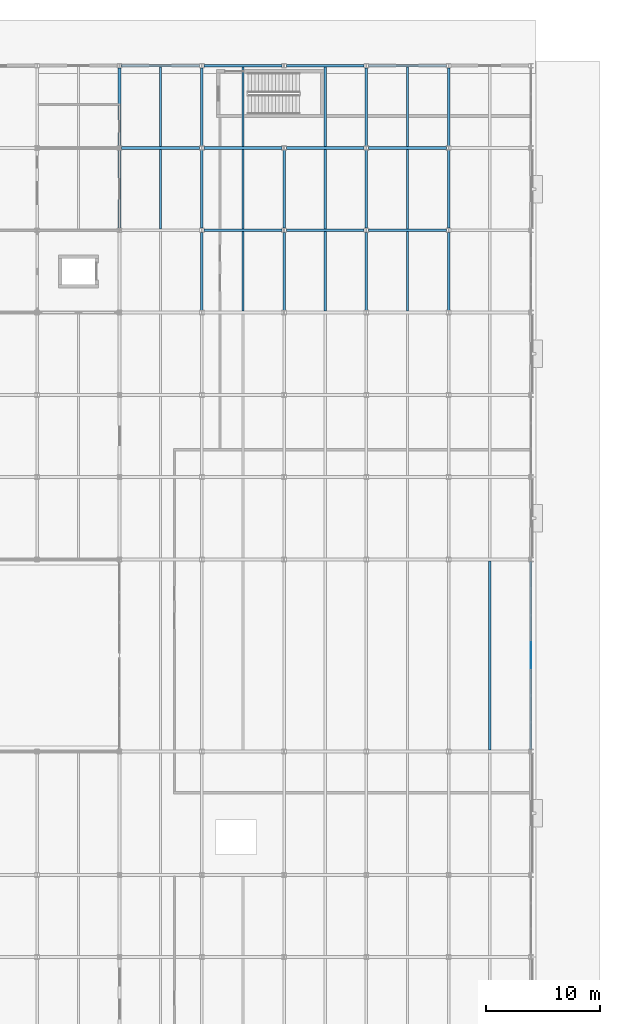
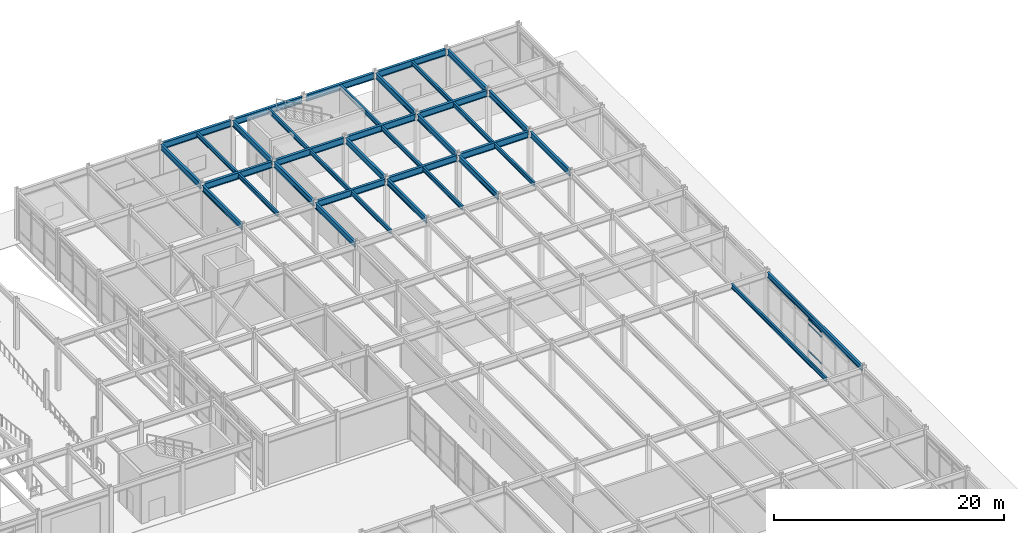
# One storey, part 54 of 104: 37 beams, 4 members, 1 element without a shape of its own.
"""IFC4 building model written with IfcOpenShell, lengths in metres."""

import ifcopenshell
import ifcopenshell.guid

model = None  # the IFC model being written
_history = None  # IfcOwnerHistory: only IFC2X3 demands one
_inside = {}  # id of a spatial element -> (the spatial element, [elements in it])
_under = {}  # id of a project, library or spatial element -> (it, [spatial elements below it])
_declared = {}  # id of a project -> (the project, [libraries it declares])
_typed = {}  # id of a type object -> (the type object, [elements of that type])
_made_of = {}  # id of a material, layer set ... -> (it, [elements and type objects made of it])


def new_model(schema):
    """Start an empty IFC model of exactly this schema.

    Asked for "IFC4X3", IfcOpenShell would pick the latest addendum, in which some entities
    have other attributes; the version numbers below select the first issue.
    IFC2X3 requires an IfcOwnerHistory on every rooted entity: one is made here for all.
    """
    global model, _history
    if schema == "IFC4X3":
        model = ifcopenshell.file(schema_version=(4, 3, 0, 0))
    else:
        model = ifcopenshell.file(schema=schema)
    _inside.clear()
    _under.clear()
    _declared.clear()
    _typed.clear()
    _made_of.clear()
    _history = None
    if model.schema == "IFC2X3":
        org = make("IfcOrganization", Name="unknown")
        user = make(
            "IfcPersonAndOrganization",
            ThePerson=make("IfcPerson", FamilyName="unknown"),
            TheOrganization=org,
        )
        app = make(
            "IfcApplication",
            ApplicationDeveloper=org,
            Version="unknown",
            ApplicationFullName="unknown",
            ApplicationIdentifier="unknown",
        )
        _history = make(
            "IfcOwnerHistory",
            OwningUser=user,
            OwningApplication=app,
            ChangeAction="ADDED",
            CreationDate=0,
        )
    return model


def make(cls, **values):
    """One entity of the class cls with the attributes given. An attribute that is None is left unset."""
    return model.create_entity(
        cls, **{name: value for name, value in values.items() if value is not None}
    )


def rooted(cls, **values):
    """An entity with a GlobalId (a new one), such as an element, a storey or a relation."""
    return make(cls, GlobalId=ifcopenshell.guid.new(), OwnerHistory=_history, **values)


def si_unit(unit_type, name, prefix=None):
    """IfcSIUnit, for example si_unit("LENGTHUNIT", "METRE", prefix="MILLI")."""
    return make("IfcSIUnit", UnitType=unit_type, Prefix=prefix, Name=name)


def assignment(units):
    """IfcUnitAssignment: the units of a project."""
    return None if units is None else make("IfcUnitAssignment", Units=units)


def point(xyz):
    """IfcCartesianPoint."""
    return None if xyz is None else make("IfcCartesianPoint", Coordinates=xyz)


def direction(xyz):
    """IfcDirection."""
    return None if xyz is None else make("IfcDirection", DirectionRatios=xyz)


def frame(location, z_axis=None, x_axis=None):
    """IfcAxis2Placement3D, a coordinate frame: its origin and axes. An axis left out is left unset."""
    return make(
        "IfcAxis2Placement3D",
        Location=point(location),
        Axis=direction(z_axis),
        RefDirection=direction(x_axis),
    )


def frame_2d(location, x_axis=None):
    """IfcAxis2Placement2D, a coordinate frame in the plane: its origin and x axis."""
    return make(
        "IfcAxis2Placement2D", Location=point(location), RefDirection=direction(x_axis)
    )


def origin():
    """The frame at (0, 0, 0) with its axes left unset."""
    return frame((0.0, 0.0, 0.0))


def origin_2d():
    """The frame at (0, 0) in the plane with its x axis left unset."""
    return frame_2d((0.0, 0.0))


def place(relative_to, where):
    """IfcLocalPlacement: puts the frame where relative to a parent placement (None: the world)."""
    return make(
        "IfcLocalPlacement", PlacementRelTo=relative_to, RelativePlacement=where
    )


def context(
    kind, dimensions, precision=None, world=None, true_north=None, identifier=None
):
    """IfcGeometricRepresentationContext, for example the 3D "Model" context."""
    return make(
        "IfcGeometricRepresentationContext",
        ContextIdentifier=identifier,
        ContextType=kind,
        CoordinateSpaceDimension=dimensions,
        Precision=precision,
        WorldCoordinateSystem=world,
        TrueNorth=true_north,
    )


def subcontext(parent, identifier, kind, view, scale=None):
    """IfcGeometricRepresentationSubContext, for example "Body" below "Model"."""
    return make(
        "IfcGeometricRepresentationSubContext",
        ContextIdentifier=identifier,
        ContextType=kind,
        ParentContext=parent,
        TargetScale=scale,
        TargetView=view,
    )


def project(units=None, contexts=None):
    """IfcProject with its units and contexts."""
    return rooted(
        "IfcProject",
        Name="project",
        RepresentationContexts=contexts,
        UnitsInContext=assignment(units),
    )


def spatial(cls, under=None, at=None, **own):
    """A site, building, storey or space (cls), placed at a placement, below another one or the project."""
    s = rooted(cls, ObjectPlacement=at, **own)
    if under is not None:
        _under.setdefault(under.id(), (under, []))[1].append(s)
    return s


def profile(cls, at=None, kind="AREA", **sizes):
    """A parametric profile (cls). Its sizes go by their IFC names, for example OverallWidth=200.0."""
    return make(cls, ProfileType=kind, Position=at, **sizes)


def rectangle(**sizes):
    """IfcRectangleProfileDef."""
    return profile("IfcRectangleProfileDef", **sizes)


def i_section(**sizes):
    """IfcIShapeProfileDef."""
    return profile("IfcIShapeProfileDef", **sizes)


def extrude(swept, where, along, depth):
    """IfcExtrudedAreaSolid: the profile swept, set in the frame where, extruded along a direction by depth."""
    return make(
        "IfcExtrudedAreaSolid",
        SweptArea=swept,
        Position=where,
        ExtrudedDirection=direction(along),
        Depth=depth,
    )


def shape(context_of_items, identifier, shape_type, items):
    """IfcShapeRepresentation: the items that make up one representation, for example the "Body"."""
    return make(
        "IfcShapeRepresentation",
        ContextOfItems=context_of_items,
        RepresentationIdentifier=identifier,
        RepresentationType=shape_type,
        Items=items,
    )


def material(Name=None, Category=None):
    """IfcMaterial."""
    return make("IfcMaterial", Name=Name, Category=Category)


def material_profile(
    of_material, cross_section, Name=None, Category=None, Priority=None
):
    """IfcMaterialProfile: a cross section and its material."""
    return make(
        "IfcMaterialProfile",
        Name=Name,
        Material=of_material,
        Profile=cross_section,
        Priority=Priority,
        Category=Category,
    )


def profile_set(profiles, Name=None, composite=None):
    """IfcMaterialProfileSet."""
    return make(
        "IfcMaterialProfileSet",
        Name=Name,
        MaterialProfiles=profiles,
        CompositeProfile=composite,
    )


def made_of(thing, what):
    """Note that an element or type object is made of a material, layer set ...; save() writes the relation."""
    if what is not None:
        _made_of.setdefault(what.id(), (what, []))[1].append(thing)
    return thing


def type_object(cls, material=None, **own):
    """A type object (cls), such as IfcWallType, which elements share."""
    return made_of(rooted(cls, **own), material)


def element(
    cls,
    number,
    at=None,
    inside=None,
    cuts=None,
    type_object=None,
    material=None,
    context=None,
    identifier="Body",
    shape_type=None,
    held_by="IfcProductDefinitionShape",
    body=None,
    shapes=None,
    **own,
):
    """One element of the class cls, such as IfcWall. Its Tag is "e" and its number.

    at: its placement. inside: the storey or other place that contains it. cuts: it is an
    opening in that element (IfcRelVoidsElement). A single representation is given by context,
    identifier, shape_type and body (its items); several are given by shapes. held_by: the class
    of the entity that holds the representations. save() writes the other relations.
    """
    e = rooted(cls, Tag="e%d" % number, ObjectPlacement=at, **own)
    if body is not None:
        shapes = [shape(context, identifier, shape_type, body)]
    if shapes is not None:
        e.Representation = make(held_by, Representations=shapes)
    if inside is not None:
        _inside.setdefault(inside.id(), (inside, []))[1].append(e)
    if cuts is not None:
        rooted(
            "IfcRelVoidsElement", RelatingBuildingElement=cuts, RelatedOpeningElement=e
        )
    if type_object is not None:
        _typed.setdefault(type_object.id(), (type_object, []))[1].append(e)
    return made_of(e, material)


def aggregate(whole, parts):
    """IfcRelAggregates: a whole, such as a stair, and the parts it consists of."""
    return rooted("IfcRelAggregates", RelatingObject=whole, RelatedObjects=parts)


def save(model, path):
    """Write the relations noted so far, then the file.

    IfcRelAggregates (storeys below a building ...), IfcRelContainedInSpatialStructure (elements
    in a storey), IfcRelDefinesByType, IfcRelAssociatesMaterial and IfcRelDeclares: one each for
    every whole, place, type object, material and project.
    """
    for whole, parts in _under.values():
        aggregate(whole, parts)
    for where, things in _inside.values():
        rooted(
            "IfcRelContainedInSpatialStructure",
            RelatedElements=things,
            RelatingStructure=where,
        )
    for kind, things in _typed.values():
        rooted("IfcRelDefinesByType", RelatedObjects=things, RelatingType=kind)
    for what, things in _made_of.values():
        rooted("IfcRelAssociatesMaterial", RelatedObjects=things, RelatingMaterial=what)
    for by, libraries in _declared.values():
        rooted("IfcRelDeclares", RelatingContext=by, RelatedDefinitions=libraries)
    model.write(path)


model = new_model("IFC4")

# Units and contexts
model_context = context("Model", 3, precision=1e-05, world=origin(), true_north=direction((0.0, 1.0)))
body_context = subcontext(model_context, "Body", "Model", "MODEL_VIEW")
ifc_project = project(units=[si_unit("LENGTHUNIT", "METRE"), si_unit("AREAUNIT", "SQUARE_METRE"), si_unit("VOLUMEUNIT", "CUBIC_METRE"), si_unit("PLANEANGLEUNIT", "RADIAN"), si_unit("MASSUNIT", "GRAM", prefix="KILO")], contexts=[model_context])

# Site, building, storey
site_placement = place(None, origin())
site = spatial("IfcSite", under=ifc_project, at=site_placement, CompositionType="ELEMENT")
building_placement = place(site_placement, origin())
building = spatial("IfcBuilding", under=site, at=building_placement, Name="Vaelcorin Mobility Hub", CompositionType="ELEMENT")
storey_placement = place(building_placement, origin())
storey = spatial("IfcBuildingStorey", under=building, at=storey_placement, Name="L00", CompositionType="ELEMENT", Elevation=0.0)

# Beams
ifc_material_1 = material(Name="Steel ASTM A992 Grade 50", Category="steel")
ifc_material_profile_1 = material_profile(ifc_material_1, i_section(OverallWidth=0.19091796875, OverallDepth=0.4599609375, WebThickness=0.010009765625, FlangeThickness=0.01611328125, FilletRadius=0.012939453125, at=origin_2d()), Name="W18X55")
ifc_profile_set_1 = profile_set([ifc_material_profile_1], Name="Steel ASTM A992 Grade 50")
beam_type_1 = type_object("IfcBeamType", Name="BM-W18X55", PredefinedType="JOIST", material=ifc_profile_set_1)
for number, where, z_axis, x_axis, name in (
    (1, (171.60009765625, 105.72509765625, 4.909912109375), (0.0, 1.0, 0.0), (-1.0, 0.0, 0.0), "L00 Beam V5-L00-J-03-13-1"),
    (2, (171.60009765625, 112.925048828125, 4.909912109375), (0.0, 1.0, 0.0), (-1.0, 0.0, 0.0), "L00 Beam V5-L00-J-03-14-1"),
):
    element("IfcBeam", number, at=place(storey_placement, frame(where, z_axis=z_axis, x_axis=x_axis)), inside=storey, type_object=beam_type_1, Name=name, PredefinedType="JOIST", context=body_context, shape_type="SweptSolid", body=[
        extrude(i_section(OverallWidth=0.19091796875, OverallDepth=0.4599609375, WebThickness=0.010009765625, FlangeThickness=0.01611328125, FilletRadius=0.012939453125, at=origin_2d()), origin(), (0.0, 0.0, 1.0), 6.949951171875),
    ])
beam_1_placement = place(storey_placement, frame((178.800048828125, 98.52490234375, 4.909912109375), z_axis=(0.0, 1.0, 0.0), x_axis=(-1.0, 0.0, 0.0)))
element("IfcBeam", 3, at=beam_1_placement, inside=storey, type_object=beam_type_1, Name="L00 Beam V5-L00-J-04-12-1", PredefinedType="JOIST", context=body_context, shape_type="SweptSolid", body=[
    extrude(i_section(OverallWidth=0.19091796875, OverallDepth=0.4599609375, WebThickness=0.010009765625, FlangeThickness=0.01611328125, FilletRadius=0.012939453125, at=origin_2d()), origin(), (0.0, 0.0, 1.0), 6.9501953125),
])
for number, where, z_axis, x_axis, name in (
    (4, (178.800048828125, 105.72509765625, 4.909912109375), (0.0, 1.0, 0.0), (-1.0, 0.0, 0.0), "L00 Beam V5-L00-J-04-13-1"),
    (5, (178.800048828125, 112.925048828125, 4.909912109375), (0.0, 1.0, 0.0), (-1.0, 0.0, 0.0), "L00 Beam V5-L00-J-04-14-1"),
):
    element("IfcBeam", number, at=place(storey_placement, frame(where, z_axis=z_axis, x_axis=x_axis)), inside=storey, type_object=beam_type_1, Name=name, PredefinedType="JOIST", context=body_context, shape_type="SweptSolid", body=[
        extrude(i_section(OverallWidth=0.19091796875, OverallDepth=0.4599609375, WebThickness=0.010009765625, FlangeThickness=0.01611328125, FilletRadius=0.012939453125, at=origin_2d()), origin(), (0.0, 0.0, 1.0), 6.949951171875),
    ])
beam_2_placement = place(storey_placement, frame((186.0, 98.52490234375, 4.909912109375), z_axis=(0.0, 1.0, 0.0), x_axis=(-1.0, 0.0, 0.0)))
element("IfcBeam", 6, at=beam_2_placement, inside=storey, type_object=beam_type_1, Name="L00 Beam V5-L00-J-05-12-1", PredefinedType="JOIST", context=body_context, shape_type="SweptSolid", body=[
    extrude(i_section(OverallWidth=0.19091796875, OverallDepth=0.4599609375, WebThickness=0.010009765625, FlangeThickness=0.01611328125, FilletRadius=0.012939453125, at=origin_2d()), origin(), (0.0, 0.0, 1.0), 6.9501953125),
])
for number, where, z_axis, x_axis, name in (
    (7, (186.0, 105.72509765625, 4.909912109375), (0.0, 1.0, 0.0), (-1.0, 0.0, 0.0), "L00 Beam V5-L00-J-05-13-1"),
    (8, (186.0, 112.925048828125, 4.909912109375), (0.0, 1.0, 0.0), (-1.0, 0.0, 0.0), "L00 Beam V5-L00-J-05-14-1"),
):
    element("IfcBeam", number, at=place(storey_placement, frame(where, z_axis=z_axis, x_axis=x_axis)), inside=storey, type_object=beam_type_1, Name=name, PredefinedType="JOIST", context=body_context, shape_type="SweptSolid", body=[
        extrude(i_section(OverallWidth=0.19091796875, OverallDepth=0.4599609375, WebThickness=0.010009765625, FlangeThickness=0.01611328125, FilletRadius=0.012939453125, at=origin_2d()), origin(), (0.0, 0.0, 1.0), 6.949951171875),
    ])
beam_3_placement = place(storey_placement, frame((193.199951171875, 98.52490234375, 4.909912109375), z_axis=(0.0, 1.0, 0.0), x_axis=(-1.0, 0.0, 0.0)))
element("IfcBeam", 9, at=beam_3_placement, inside=storey, type_object=beam_type_1, Name="L00 Beam V5-L00-J-06-12-1", PredefinedType="JOIST", context=body_context, shape_type="SweptSolid", body=[
    extrude(i_section(OverallWidth=0.19091796875, OverallDepth=0.4599609375, WebThickness=0.010009765625, FlangeThickness=0.01611328125, FilletRadius=0.012939453125, at=origin_2d()), origin(), (0.0, 0.0, 1.0), 6.9501953125),
])
for number, where, z_axis, x_axis, name in (
    (10, (193.199951171875, 105.72509765625, 4.909912109375), (0.0, 1.0, 0.0), (-1.0, 0.0, 0.0), "L00 Beam V5-L00-J-06-13-1"),
    (11, (193.199951171875, 112.925048828125, 4.909912109375), (0.0, 1.0, 0.0), (-1.0, 0.0, 0.0), "L00 Beam V5-L00-J-06-14-1"),
):
    element("IfcBeam", number, at=place(storey_placement, frame(where, z_axis=z_axis, x_axis=x_axis)), inside=storey, type_object=beam_type_1, Name=name, PredefinedType="JOIST", context=body_context, shape_type="SweptSolid", body=[
        extrude(i_section(OverallWidth=0.19091796875, OverallDepth=0.4599609375, WebThickness=0.010009765625, FlangeThickness=0.01611328125, FilletRadius=0.012939453125, at=origin_2d()), origin(), (0.0, 0.0, 1.0), 6.949951171875),
    ])
beam_4_placement = place(storey_placement, frame((200.39990234375, 60.125, 4.909912109375), z_axis=(0.0, 1.0, 0.0), x_axis=(-1.0, 0.0, 0.0)))
element("IfcBeam", 12, at=beam_4_placement, inside=storey, type_object=beam_type_1, Name="L00 Beam V5-L00-J-07-08-1", PredefinedType="JOIST", context=body_context, shape_type="SweptSolid", body=[
    extrude(i_section(OverallWidth=0.19091796875, OverallDepth=0.4599609375, WebThickness=0.010009765625, FlangeThickness=0.01611328125, FilletRadius=0.012939453125, at=origin_2d()), origin(), (0.0, 0.0, 1.0), 16.550048828125),
])
ifc_material_profile_2 = material_profile(ifc_material_1, i_section(OverallWidth=0.2099609375, OverallDepth=0.535888671875, WebThickness=0.010986328125, FlangeThickness=0.017333984375, FilletRadius=0.013916015625, at=origin_2d()), Name="W21X68")
ifc_profile_set_2 = profile_set([ifc_material_profile_2], Name="Steel ASTM A992 Grade 50")
beam_type_2 = type_object("IfcBeamType", Name="BM-W21X68", PredefinedType="SPANDREL", material=ifc_profile_set_2)
beam_5_placement = place(storey_placement, frame((204.0, 60.18798828125, 4.8720703125), z_axis=(0.0, 1.0, 0.0), x_axis=(-1.0, 0.0, 0.0)))
element("IfcBeam", 13, at=beam_5_placement, inside=storey, type_object=beam_type_2, Name="L00 Beam V5-L00-GY-08-08", PredefinedType="SPANDREL", context=body_context, shape_type="SweptSolid", body=[
    extrude(i_section(OverallWidth=0.2099609375, OverallDepth=0.535888671875, WebThickness=0.010986328125, FlangeThickness=0.017333984375, FilletRadius=0.013916015625, at=origin_2d()), origin(), (0.0, 0.0, 1.0), 16.423095703125),
])
ifc_material_profile_3 = material_profile(ifc_material_1, i_section(OverallWidth=0.22900390625, OverallDepth=0.612060546875, WebThickness=0.011962890625, FlangeThickness=0.01953125, FilletRadius=0.014892578125, at=origin_2d()), Name="W24X84")
ifc_profile_set_3 = profile_set([ifc_material_profile_3], Name="Steel ASTM A992 Grade 50")
beam_type_3 = type_object("IfcBeamType", Name="BM-W24X84", PredefinedType="BEAM", material=ifc_profile_set_3)
beam_6_placement = place(storey_placement, frame((168.0, 105.7880859375, 4.833984375), z_axis=(0.0, 1.0, 0.0), x_axis=(-1.0, 0.0, 0.0)))
element("IfcBeam", 14, at=beam_6_placement, inside=storey, type_object=beam_type_3, Name="L00 Beam V5-L00-GY-03-13", PredefinedType="BEAM", context=body_context, shape_type="SweptSolid", body=[
    extrude(i_section(OverallWidth=0.22900390625, OverallDepth=0.612060546875, WebThickness=0.011962890625, FlangeThickness=0.01953125, FilletRadius=0.014892578125, at=origin_2d()), origin(), (0.0, 0.0, 1.0), 6.822998046875),
])
beam_7_placement = place(storey_placement, frame((168.0, 112.988037109375, 4.833984375), z_axis=(0.0, 1.0, 0.0), x_axis=(-1.0, 0.0, 0.0)))
element("IfcBeam", 15, at=beam_7_placement, inside=storey, type_object=beam_type_3, Name="L00 Beam V5-L00-GY-03-14", PredefinedType="BEAM", context=body_context, shape_type="SweptSolid", body=[
    extrude(i_section(OverallWidth=0.22900390625, OverallDepth=0.612060546875, WebThickness=0.011962890625, FlangeThickness=0.01953125, FilletRadius=0.014892578125, at=origin_2d()), origin(), (0.0, 0.0, 1.0), 6.823974609375),
])
beam_8_placement = place(storey_placement, frame((175.199951171875, 98.589111328125, 4.833984375), z_axis=(0.0, 1.0, 0.0), x_axis=(-1.0, 0.0, 0.0)))
element("IfcBeam", 16, at=beam_8_placement, inside=storey, type_object=beam_type_3, Name="L00 Beam V5-L00-GY-04-12", PredefinedType="BEAM", context=body_context, shape_type="SweptSolid", body=[
    extrude(i_section(OverallWidth=0.22900390625, OverallDepth=0.612060546875, WebThickness=0.011962890625, FlangeThickness=0.01953125, FilletRadius=0.014892578125, at=origin_2d()), origin(), (0.0, 0.0, 1.0), 6.82177734375),
])
beam_9_placement = place(storey_placement, frame((175.199951171875, 105.7880859375, 4.833984375), z_axis=(0.0, 1.0, 0.0), x_axis=(-1.0, 0.0, 0.0)))
element("IfcBeam", 17, at=beam_9_placement, inside=storey, type_object=beam_type_3, Name="L00 Beam V5-L00-GY-04-13", PredefinedType="BEAM", context=body_context, shape_type="SweptSolid", body=[
    extrude(i_section(OverallWidth=0.22900390625, OverallDepth=0.612060546875, WebThickness=0.011962890625, FlangeThickness=0.01953125, FilletRadius=0.014892578125, at=origin_2d()), origin(), (0.0, 0.0, 1.0), 6.822998046875),
])
beam_10_placement = place(storey_placement, frame((175.199951171875, 112.988037109375, 4.833984375), z_axis=(0.0, 1.0, 0.0), x_axis=(-1.0, 0.0, 0.0)))
element("IfcBeam", 18, at=beam_10_placement, inside=storey, type_object=beam_type_3, Name="L00 Beam V5-L00-GY-04-14", PredefinedType="BEAM", context=body_context, shape_type="SweptSolid", body=[
    extrude(i_section(OverallWidth=0.22900390625, OverallDepth=0.612060546875, WebThickness=0.011962890625, FlangeThickness=0.01953125, FilletRadius=0.014892578125, at=origin_2d()), origin(), (0.0, 0.0, 1.0), 6.823974609375),
])
beam_11_placement = place(storey_placement, frame((182.39990234375, 98.589111328125, 4.833984375), z_axis=(0.0, 1.0, 0.0), x_axis=(-1.0, 0.0, 0.0)))
element("IfcBeam", 19, at=beam_11_placement, inside=storey, type_object=beam_type_3, Name="L00 Beam V5-L00-GY-05-12", PredefinedType="BEAM", context=body_context, shape_type="SweptSolid", body=[
    extrude(i_section(OverallWidth=0.22900390625, OverallDepth=0.612060546875, WebThickness=0.011962890625, FlangeThickness=0.01953125, FilletRadius=0.014892578125, at=origin_2d()), origin(), (0.0, 0.0, 1.0), 6.82177734375),
])
beam_12_placement = place(storey_placement, frame((182.39990234375, 105.7880859375, 4.833984375), z_axis=(0.0, 1.0, 0.0), x_axis=(-1.0, 0.0, 0.0)))
element("IfcBeam", 20, at=beam_12_placement, inside=storey, type_object=beam_type_3, Name="L00 Beam V5-L00-GY-05-13", PredefinedType="BEAM", context=body_context, shape_type="SweptSolid", body=[
    extrude(i_section(OverallWidth=0.22900390625, OverallDepth=0.612060546875, WebThickness=0.011962890625, FlangeThickness=0.01953125, FilletRadius=0.014892578125, at=origin_2d()), origin(), (0.0, 0.0, 1.0), 6.822998046875),
])
beam_13_placement = place(storey_placement, frame((189.60009765625, 98.589111328125, 4.833984375), z_axis=(0.0, 1.0, 0.0), x_axis=(-1.0, 0.0, 0.0)))
element("IfcBeam", 21, at=beam_13_placement, inside=storey, type_object=beam_type_3, Name="L00 Beam V5-L00-GY-06-12", PredefinedType="BEAM", context=body_context, shape_type="SweptSolid", body=[
    extrude(i_section(OverallWidth=0.22900390625, OverallDepth=0.612060546875, WebThickness=0.011962890625, FlangeThickness=0.01953125, FilletRadius=0.014892578125, at=origin_2d()), origin(), (0.0, 0.0, 1.0), 6.82177734375),
])
beam_14_placement = place(storey_placement, frame((189.60009765625, 105.7880859375, 4.833984375), z_axis=(0.0, 1.0, 0.0), x_axis=(-1.0, 0.0, 0.0)))
element("IfcBeam", 22, at=beam_14_placement, inside=storey, type_object=beam_type_3, Name="L00 Beam V5-L00-GY-06-13", PredefinedType="BEAM", context=body_context, shape_type="SweptSolid", body=[
    extrude(i_section(OverallWidth=0.22900390625, OverallDepth=0.612060546875, WebThickness=0.011962890625, FlangeThickness=0.01953125, FilletRadius=0.014892578125, at=origin_2d()), origin(), (0.0, 0.0, 1.0), 6.822998046875),
])
beam_15_placement = place(storey_placement, frame((189.60009765625, 112.988037109375, 4.833984375), z_axis=(0.0, 1.0, 0.0), x_axis=(-1.0, 0.0, 0.0)))
element("IfcBeam", 23, at=beam_15_placement, inside=storey, type_object=beam_type_3, Name="L00 Beam V5-L00-GY-06-14", PredefinedType="BEAM", context=body_context, shape_type="SweptSolid", body=[
    extrude(i_section(OverallWidth=0.22900390625, OverallDepth=0.612060546875, WebThickness=0.011962890625, FlangeThickness=0.01953125, FilletRadius=0.014892578125, at=origin_2d()), origin(), (0.0, 0.0, 1.0), 6.823974609375),
])
beam_16_placement = place(storey_placement, frame((196.800048828125, 98.589111328125, 4.833984375), z_axis=(0.0, 1.0, 0.0), x_axis=(-1.0, 0.0, 0.0)))
element("IfcBeam", 24, at=beam_16_placement, inside=storey, type_object=beam_type_3, Name="L00 Beam V5-L00-GY-07-12", PredefinedType="BEAM", context=body_context, shape_type="SweptSolid", body=[
    extrude(i_section(OverallWidth=0.22900390625, OverallDepth=0.612060546875, WebThickness=0.011962890625, FlangeThickness=0.01953125, FilletRadius=0.014892578125, at=origin_2d()), origin(), (0.0, 0.0, 1.0), 6.82177734375),
])
beam_17_placement = place(storey_placement, frame((196.800048828125, 105.7880859375, 4.833984375), z_axis=(0.0, 1.0, 0.0), x_axis=(-1.0, 0.0, 0.0)))
element("IfcBeam", 25, at=beam_17_placement, inside=storey, type_object=beam_type_3, Name="L00 Beam V5-L00-GY-07-13", PredefinedType="BEAM", context=body_context, shape_type="SweptSolid", body=[
    extrude(i_section(OverallWidth=0.22900390625, OverallDepth=0.612060546875, WebThickness=0.011962890625, FlangeThickness=0.01953125, FilletRadius=0.014892578125, at=origin_2d()), origin(), (0.0, 0.0, 1.0), 6.822998046875),
])
beam_18_placement = place(storey_placement, frame((196.800048828125, 112.988037109375, 4.833984375), z_axis=(0.0, 1.0, 0.0), x_axis=(-1.0, 0.0, 0.0)))
element("IfcBeam", 26, at=beam_18_placement, inside=storey, type_object=beam_type_3, Name="L00 Beam V5-L00-GY-07-14", PredefinedType="BEAM", context=body_context, shape_type="SweptSolid", body=[
    extrude(i_section(OverallWidth=0.22900390625, OverallDepth=0.612060546875, WebThickness=0.011962890625, FlangeThickness=0.01953125, FilletRadius=0.014892578125, at=origin_2d()), origin(), (0.0, 0.0, 1.0), 6.823974609375),
])
ifc_material_profile_4 = material_profile(ifc_material_1, i_section(OverallWidth=0.25390625, OverallDepth=0.68310546875, WebThickness=0.012451171875, FlangeThickness=0.018798828125, FilletRadius=0.01611328125, at=origin_2d()), Name="W27X94")
ifc_profile_set_4 = profile_set([ifc_material_profile_4], Name="Steel ASTM A992 Grade 50")
beam_type_4 = type_object("IfcBeamType", Name="BM-W27X94", PredefinedType="BEAM", material=ifc_profile_set_4)
for number, where, z_axis, x_axis, name in (
    (27, (175.39599609375, 105.60009765625, 4.798095703125), (1.0, 0.0, 0.0), (0.0, 1.0, 0.0), "L00 Beam V5-L00-GX-13-04"),
    (28, (182.595947265625, 105.60009765625, 4.798095703125), (1.0, 0.0, 0.0), (0.0, 1.0, 0.0), "L00 Beam V5-L00-GX-13-05"),
    (29, (189.7958984375, 105.60009765625, 4.798095703125), (1.0, 0.0, 0.0), (0.0, 1.0, 0.0), "L00 Beam V5-L00-GX-13-06"),
):
    element("IfcBeam", number, at=place(storey_placement, frame(where, z_axis=z_axis, x_axis=x_axis)), inside=storey, type_object=beam_type_4, Name=name, PredefinedType="BEAM", context=body_context, shape_type="SweptSolid", body=[
        extrude(i_section(OverallWidth=0.25390625, OverallDepth=0.68310546875, WebThickness=0.012451171875, FlangeThickness=0.018798828125, FilletRadius=0.01611328125, at=origin_2d()), origin(), (0.0, 0.0, 1.0), 6.80810546875),
    ])
beam_19_placement = place(storey_placement, frame((168.196044921875, 112.800048828125, 4.798095703125), z_axis=(1.0, 0.0, 0.0), x_axis=(0.0, 1.0, 0.0)))
element("IfcBeam", 30, at=beam_19_placement, inside=storey, type_object=beam_type_4, Name="L00 Beam V5-L00-GX-14-03", PredefinedType="BEAM", context=body_context, shape_type="SweptSolid", body=[
    extrude(i_section(OverallWidth=0.25390625, OverallDepth=0.68310546875, WebThickness=0.012451171875, FlangeThickness=0.018798828125, FilletRadius=0.01611328125, at=origin_2d()), origin(), (0.0, 0.0, 1.0), 6.807861328125),
])
for number, where, z_axis, x_axis, name in (
    (31, (175.39599609375, 112.800048828125, 4.798095703125), (1.0, 0.0, 0.0), (0.0, 1.0, 0.0), "L00 Beam V5-L00-GX-14-04"),
    (32, (182.595947265625, 112.800048828125, 4.798095703125), (1.0, 0.0, 0.0), (0.0, 1.0, 0.0), "L00 Beam V5-L00-GX-14-05"),
    (33, (189.7958984375, 112.800048828125, 4.798095703125), (1.0, 0.0, 0.0), (0.0, 1.0, 0.0), "L00 Beam V5-L00-GX-14-06"),
):
    element("IfcBeam", number, at=place(storey_placement, frame(where, z_axis=z_axis, x_axis=x_axis)), inside=storey, type_object=beam_type_4, Name=name, PredefinedType="BEAM", context=body_context, shape_type="SweptSolid", body=[
        extrude(i_section(OverallWidth=0.25390625, OverallDepth=0.68310546875, WebThickness=0.012451171875, FlangeThickness=0.018798828125, FilletRadius=0.01611328125, at=origin_2d()), origin(), (0.0, 0.0, 1.0), 6.80810546875),
    ])
beam_20_placement = place(storey_placement, frame((168.196044921875, 120.0, 4.798095703125), z_axis=(1.0, 0.0, 0.0), x_axis=(0.0, 1.0, 0.0)))
element("IfcBeam", 34, at=beam_20_placement, inside=storey, type_object=beam_type_4, Name="L00 Beam V5-L00-GX-15-03", PredefinedType="BEAM", context=body_context, shape_type="SweptSolid", body=[
    extrude(i_section(OverallWidth=0.25390625, OverallDepth=0.68310546875, WebThickness=0.012451171875, FlangeThickness=0.018798828125, FilletRadius=0.01611328125, at=origin_2d()), origin(), (0.0, 0.0, 1.0), 6.807861328125),
])
for number, where, z_axis, x_axis, name in (
    (35, (175.39599609375, 120.0, 4.798095703125), (1.0, 0.0, 0.0), (0.0, 1.0, 0.0), "L00 Beam V5-L00-GX-15-04"),
    (36, (182.595947265625, 120.0, 4.798095703125), (1.0, 0.0, 0.0), (0.0, 1.0, 0.0), "L00 Beam V5-L00-GX-15-05"),
    (37, (189.7958984375, 120.0, 4.798095703125), (1.0, 0.0, 0.0), (0.0, 1.0, 0.0), "L00 Beam V5-L00-GX-15-06"),
):
    element("IfcBeam", number, at=place(storey_placement, frame(where, z_axis=z_axis, x_axis=x_axis)), inside=storey, type_object=beam_type_4, Name=name, PredefinedType="BEAM", context=body_context, shape_type="SweptSolid", body=[
        extrude(i_section(OverallWidth=0.25390625, OverallDepth=0.68310546875, WebThickness=0.012451171875, FlangeThickness=0.018798828125, FilletRadius=0.01611328125, at=origin_2d()), origin(), (0.0, 0.0, 1.0), 6.80810546875),
    ])

# Curtain wall, members
ifc_material_2 = material(Name="Anodised aluminium 6063-T6", Category="aluminium")
curtain_wall_type = type_object("IfcCurtainWallType", Name="CW-MOB-A", PredefinedType="NOTDEFINED", material=ifc_material_2)
curtain_wall_placement = place(storey_placement, origin())
curtain_wall = element("IfcCurtainWall", 38, at=curtain_wall_placement, inside=storey, type_object=curtain_wall_type, Name="L00 Curtain Wall CW-V5-L00-E-08", PredefinedType="NOTDEFINED")
ifc_material_profile_5 = material_profile(ifc_material_2, rectangle(XDim=0.06005859375, YDim=0.1201171875, at=origin_2d()), Name="ALU-T60X120")
ifc_profile_set_5 = profile_set([ifc_material_profile_5], Name="Anodised aluminium 6063-T6")
member_type = type_object("IfcMemberType", Name="CW-TRAN-140", PredefinedType="USERDEFINED", material=ifc_profile_set_5)
member_1_placement = place(storey_placement, frame((204.0, 69.53857421875, 0.030029296875), z_axis=(0.0, -1.0, 0.0), x_axis=(1.0, 0.0, 0.0)))
member_1 = element("IfcMember", 39, at=member_1_placement, type_object=member_type, Name="CW7 transom 4.1", ObjectType="TRANSOM", PredefinedType="USERDEFINED", context=body_context, shape_type="SweptSolid", body=[
    extrude(rectangle(XDim=0.06005859375, YDim=0.1201171875, at=origin_2d()), origin(), (0.0, 0.0, 1.0), 2.277099609375),
])
member_2_placement = place(storey_placement, frame((204.0, 69.53857421875, 1.050048828125), z_axis=(0.0, -1.0, 0.0), x_axis=(1.0, 0.0, 0.0)))
member_2 = element("IfcMember", 40, at=member_2_placement, type_object=member_type, Name="CW7 transom 4.2", ObjectType="TRANSOM", PredefinedType="USERDEFINED", context=body_context, shape_type="SweptSolid", body=[
    extrude(rectangle(XDim=0.06005859375, YDim=0.1201171875, at=origin_2d()), origin(), (0.0, 0.0, 1.0), 2.277099609375),
])
member_3_placement = place(storey_placement, frame((204.0, 69.53857421875, 3.89208984375), z_axis=(0.0, -1.0, 0.0), x_axis=(1.0, 0.0, 0.0)))
member_3 = element("IfcMember", 41, at=member_3_placement, type_object=member_type, Name="CW7 transom 4.3", ObjectType="TRANSOM", PredefinedType="USERDEFINED", context=body_context, shape_type="SweptSolid", body=[
    extrude(rectangle(XDim=0.06005859375, YDim=0.1201171875, at=origin_2d()), origin(), (0.0, 0.0, 1.0), 2.277099609375),
])
member_4_placement = place(storey_placement, frame((204.0, 69.53857421875, 4.412109375), z_axis=(0.0, -1.0, 0.0), x_axis=(1.0, 0.0, 0.0)))
member_4 = element("IfcMember", 42, at=member_4_placement, type_object=member_type, Name="CW7 transom 4.4", ObjectType="TRANSOM", PredefinedType="USERDEFINED", context=body_context, shape_type="SweptSolid", body=[
    extrude(rectangle(XDim=0.06005859375, YDim=0.1201171875, at=origin_2d()), origin(), (0.0, 0.0, 1.0), 2.277099609375),
])
aggregate(curtain_wall, [member_1, member_2, member_3, member_4])

save(model, "model.ifc")
